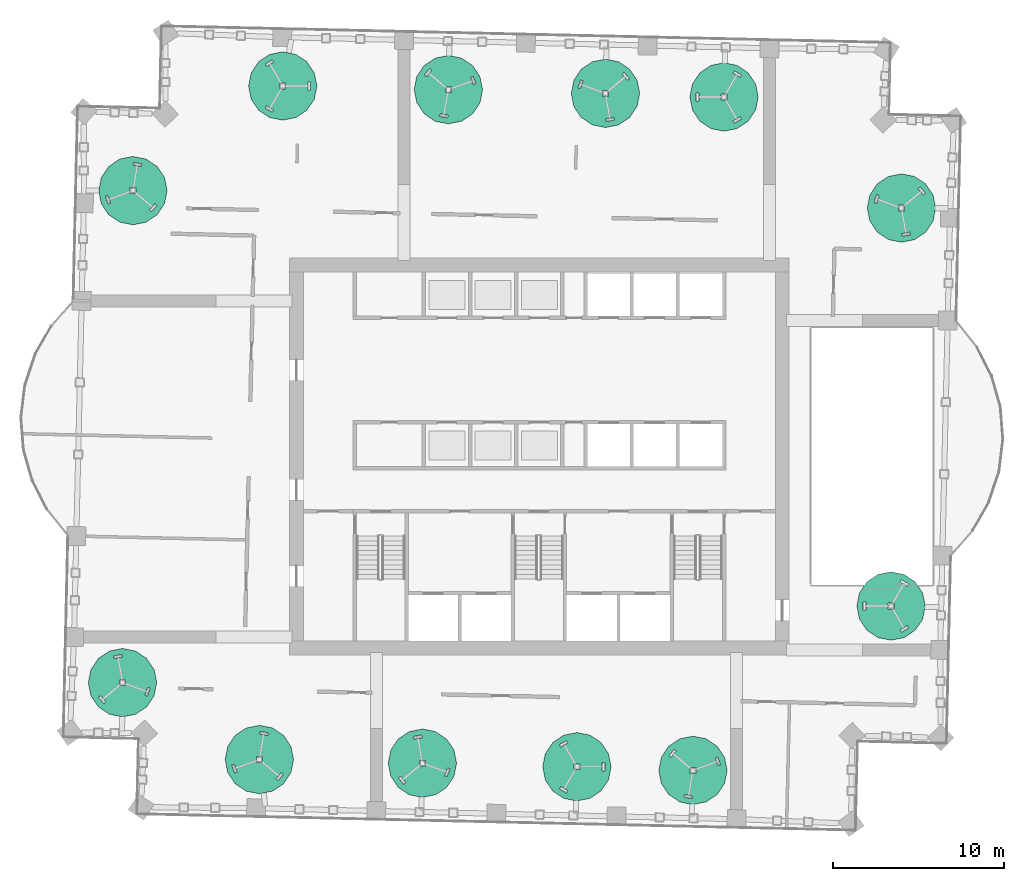
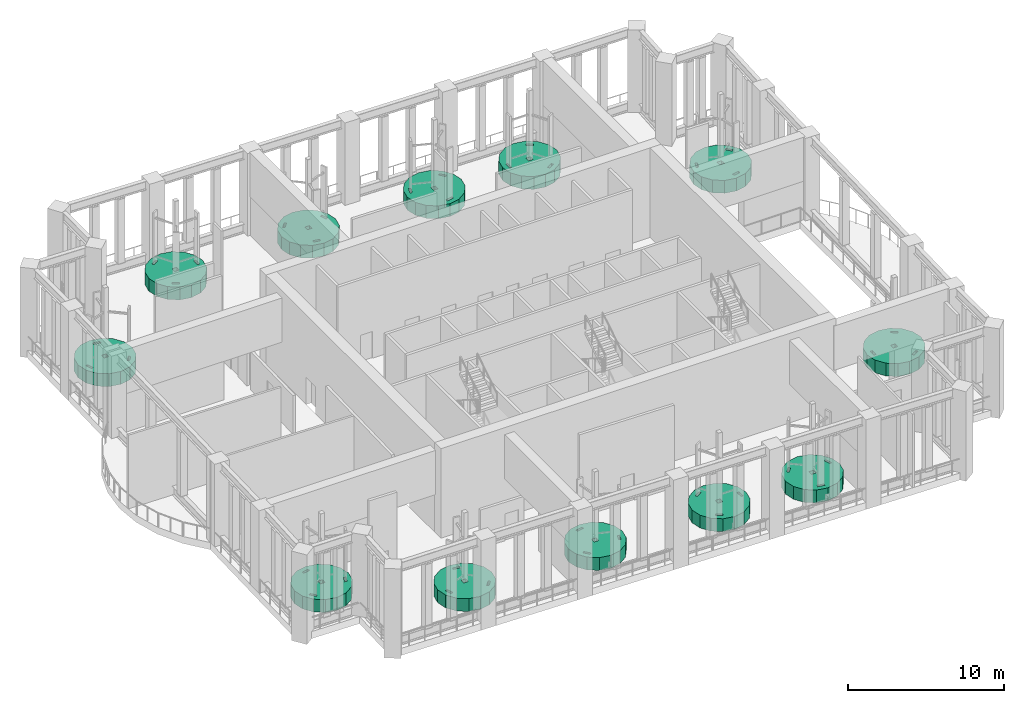
# One storey, part 32 of 33: 12 electric generators.
"""IFC4 building model written with IfcOpenShell, lengths in metres."""

from ifc_helpers import new_model, si_unit, direction, frame, origin, place, context, subcontext, project, spatial, polyline, outline, extrude, material, type_object, element, save


model = new_model("IFC4")

# Units and contexts
model_context = context("Model", 3, precision=1e-05, world=origin(), true_north=direction((0.0, 1.0)))
body_context = subcontext(model_context, "Body", "Model", "MODEL_VIEW")
ifc_project = project(units=[si_unit("LENGTHUNIT", "METRE"), si_unit("AREAUNIT", "SQUARE_METRE"), si_unit("VOLUMEUNIT", "CUBIC_METRE"), si_unit("PLANEANGLEUNIT", "RADIAN"), si_unit("MASSUNIT", "GRAM", prefix="KILO")], contexts=[model_context])

# Site, building, storey
site_placement = place(None, origin())
site = spatial("IfcSite", under=ifc_project, at=site_placement, CompositionType="ELEMENT")
building_placement = place(site_placement, origin())
building = spatial("IfcBuilding", under=site, at=building_placement, Name="Mangrove Gate Tower", CompositionType="ELEMENT")
storey_placement = place(building_placement, frame((0.0, 0.0, 219.5)))
storey = spatial("IfcBuildingStorey", under=building, at=storey_placement, Name="L56", CompositionType="ELEMENT", Elevation=219.5)

# Electric generators
ifc_material = material(Name="Aluminium blades on stainless steel shaft", Category="steel")
electric_generator_type = type_object("IfcElectricGeneratorType", Name="Wind turbine 4000", PredefinedType="USERDEFINED", material=ifc_material)
electric_generator_1_placement = place(storey_placement, origin())
element("IfcElectricGenerator", 1, at=electric_generator_1_placement, inside=storey, type_object=electric_generator_type, Name="TURBINE L56 1", ObjectType="WIND TURBINE", PredefinedType="USERDEFINED", context=body_context, shape_type="SweptSolid", body=[
    extrude(outline(polyline([(-13.0029296875, 21.658935546875), (-13.155029296875, 22.424072265625), (-13.589111328125, 23.072998046875), (-14.238037109375, 23.507080078125), (-15.0029296875, 23.658935546875), (-15.76806640625, 23.507080078125), (-16.4169921875, 23.072998046875), (-16.85107421875, 22.424072265625), (-17.0029296875, 21.658935546875), (-16.85107421875, 20.89404296875), (-16.4169921875, 20.2451171875), (-15.76806640625, 19.81103515625), (-15.0029296875, 19.658935546875), (-14.238037109375, 19.81103515625), (-13.589111328125, 20.2451171875), (-13.155029296875, 20.89404296875), (-13.0029296875, 21.658935546875)]), holes=[polyline([(-15.173095703125, 21.489013671875), (-14.8330078125, 21.489013671875), (-14.8330078125, 21.8291015625), (-15.173095703125, 21.8291015625), (-15.173095703125, 21.489013671875)]), polyline([(-13.532958984375, 21.4140625), (-13.532958984375, 21.904052734375), (-13.373046875, 21.904052734375), (-13.373046875, 21.4140625), (-13.532958984375, 21.4140625)]), polyline([(-15.52587890625, 23.054931640625), (-15.949951171875, 22.81005859375), (-16.030029296875, 22.947998046875), (-15.60595703125, 23.193115234375), (-15.52587890625, 23.054931640625)]), polyline([(-15.949951171875, 20.508056640625), (-15.52587890625, 20.262939453125), (-15.60595703125, 20.125), (-16.030029296875, 20.3701171875), (-15.949951171875, 20.508056640625)])]), origin(), (0.0, 0.0, 1.0), 1.0),
])
electric_generator_2_placement = place(storey_placement, origin())
element("IfcElectricGenerator", 2, at=electric_generator_2_placement, inside=storey, type_object=electric_generator_type, Name="TURBINE L56 2", ObjectType="WIND TURBINE", PredefinedType="USERDEFINED", context=body_context, shape_type="SweptSolid", body=[
    extrude(outline(polyline([(-3.320068359375, 21.445068359375), (-3.471923828125, 22.2099609375), (-3.906005859375, 22.85888671875), (-4.554931640625, 23.29296875), (-5.320068359375, 23.445068359375), (-6.0849609375, 23.29296875), (-6.73388671875, 22.85888671875), (-7.16796875, 22.2099609375), (-7.320068359375, 21.445068359375), (-7.16796875, 20.679931640625), (-6.73388671875, 20.031005859375), (-6.0849609375, 19.596923828125), (-5.320068359375, 19.445068359375), (-4.554931640625, 19.596923828125), (-3.906005859375, 20.031005859375), (-3.471923828125, 20.679931640625), (-3.320068359375, 21.445068359375)]), holes=[polyline([(-5.489990234375, 21.27490234375), (-5.14990234375, 21.27490234375), (-5.14990234375, 21.614990234375), (-5.489990234375, 21.614990234375), (-5.489990234375, 21.27490234375)]), polyline([(-3.85498046875, 21.718017578125), (-4.02197265625, 22.177978515625), (-3.8720703125, 22.23291015625), (-3.705078125, 21.77197265625), (-3.85498046875, 21.718017578125)]), polyline([(-6.2890625, 22.577880859375), (-6.60400390625, 22.201904296875), (-6.72607421875, 22.304931640625), (-6.410888671875, 22.679931640625), (-6.2890625, 22.577880859375)]), polyline([(-5.81689453125, 20.0400390625), (-5.333984375, 19.955078125), (-5.362060546875, 19.797119140625), (-5.843994140625, 19.882080078125), (-5.81689453125, 20.0400390625)])]), origin(), (0.0, 0.0, 1.0), 1.0),
])
electric_generator_3_placement = place(storey_placement, origin())
element("IfcElectricGenerator", 3, at=electric_generator_3_placement, inside=storey, type_object=electric_generator_type, Name="TURBINE L56 3", ObjectType="WIND TURBINE", PredefinedType="USERDEFINED", context=body_context, shape_type="SweptSolid", body=[
    extrude(outline(polyline([(5.864013671875, 21.23095703125), (5.7119140625, 21.99609375), (5.278076171875, 22.64501953125), (4.62890625, 23.0791015625), (3.864013671875, 23.23095703125), (3.09912109375, 23.0791015625), (2.449951171875, 22.64501953125), (2.01611328125, 21.99609375), (1.864013671875, 21.23095703125), (2.01611328125, 20.466064453125), (2.449951171875, 19.81689453125), (3.09912109375, 19.383056640625), (3.864013671875, 19.23095703125), (4.62890625, 19.383056640625), (5.278076171875, 19.81689453125), (5.7119140625, 20.466064453125), (5.864013671875, 21.23095703125)]), holes=[polyline([(3.694091796875, 21.06103515625), (4.033935546875, 21.06103515625), (4.033935546875, 21.40087890625), (3.694091796875, 21.40087890625), (3.694091796875, 21.06103515625)]), polyline([(5.14794921875, 21.988037109375), (4.8330078125, 22.364013671875), (4.955078125, 22.466064453125), (5.27001953125, 22.091064453125), (5.14794921875, 21.988037109375)]), polyline([(2.56591796875, 21.964111328125), (2.39892578125, 21.50390625), (2.2490234375, 21.55810546875), (2.416015625, 22.01904296875), (2.56591796875, 21.964111328125)]), polyline([(3.8779296875, 19.740966796875), (4.361083984375, 19.825927734375), (4.387939453125, 19.66796875), (3.906005859375, 19.5830078125), (3.8779296875, 19.740966796875)])]), origin(), (0.0, 0.0, 1.0), 1.0),
])
electric_generator_4_placement = place(storey_placement, origin())
element("IfcElectricGenerator", 4, at=electric_generator_4_placement, inside=storey, type_object=electric_generator_type, Name="TURBINE L56 4", ObjectType="WIND TURBINE", PredefinedType="USERDEFINED", context=body_context, shape_type="SweptSolid", body=[
    extrude(outline(polyline([(12.797119140625, 21.01708984375), (12.64501953125, 21.781982421875), (12.2109375, 22.430908203125), (11.56201171875, 22.864990234375), (10.797119140625, 23.01708984375), (10.031982421875, 22.864990234375), (9.383056640625, 22.430908203125), (8.948974609375, 21.781982421875), (8.797119140625, 21.01708984375), (8.948974609375, 20.251953125), (9.383056640625, 19.60302734375), (10.031982421875, 19.1689453125), (10.797119140625, 19.01708984375), (11.56201171875, 19.1689453125), (12.2109375, 19.60302734375), (12.64501953125, 20.251953125), (12.797119140625, 21.01708984375)]), holes=[polyline([(10.626953125, 20.846923828125), (10.967041015625, 20.846923828125), (10.967041015625, 21.18701171875), (10.626953125, 21.18701171875), (10.626953125, 20.846923828125)]), polyline([(11.743896484375, 22.16796875), (11.320068359375, 22.4130859375), (11.39990234375, 22.551025390625), (11.823974609375, 22.305908203125), (11.743896484375, 22.16796875)]), polyline([(9.326904296875, 21.261962890625), (9.326904296875, 20.77197265625), (9.1669921875, 20.77197265625), (9.1669921875, 21.261962890625), (9.326904296875, 21.261962890625)]), polyline([(11.320068359375, 19.62109375), (11.743896484375, 19.865966796875), (11.823974609375, 19.72802734375), (11.39990234375, 19.48291015625), (11.320068359375, 19.62109375)])]), origin(), (0.0, 0.0, 1.0), 1.0),
])
electric_generator_5_placement = place(storey_placement, origin())
element("IfcElectricGenerator", 5, at=electric_generator_5_placement, inside=storey, type_object=electric_generator_type, Name="TURBINE L56 5", ObjectType="WIND TURBINE", PredefinedType="USERDEFINED", context=body_context, shape_type="SweptSolid", body=[
    extrude(outline(polyline([(-14.3720703125, -17.719970703125), (-14.52392578125, -16.955078125), (-14.9580078125, -16.305908203125), (-15.60693359375, -15.8720703125), (-16.3720703125, -15.719970703125), (-17.136962890625, -15.8720703125), (-17.785888671875, -16.305908203125), (-18.219970703125, -16.955078125), (-18.3720703125, -17.719970703125), (-18.219970703125, -18.485107421875), (-17.785888671875, -19.134033203125), (-17.136962890625, -19.568115234375), (-16.3720703125, -19.719970703125), (-15.60693359375, -19.568115234375), (-14.9580078125, -19.134033203125), (-14.52392578125, -18.485107421875), (-14.3720703125, -17.719970703125)]), holes=[polyline([(-16.5419921875, -17.889892578125), (-16.201904296875, -17.889892578125), (-16.201904296875, -17.550048828125), (-16.5419921875, -17.550048828125), (-16.5419921875, -17.889892578125)]), polyline([(-15.875, -16.31494140625), (-16.35791015625, -16.22998046875), (-16.330078125, -16.072021484375), (-15.847900390625, -16.156982421875), (-15.875, -16.31494140625)]), polyline([(-17.8369140625, -17.992919921875), (-17.669921875, -18.452880859375), (-17.820068359375, -18.508056640625), (-17.987060546875, -18.047119140625), (-17.8369140625, -17.992919921875)]), polyline([(-15.403076171875, -18.85302734375), (-15.087890625, -18.47705078125), (-14.966064453125, -18.580078125), (-15.281005859375, -18.955078125), (-15.403076171875, -18.85302734375)])]), origin(), (0.0, 0.0, 1.0), 1.0),
])
electric_generator_6_placement = place(storey_placement, origin())
element("IfcElectricGenerator", 6, at=electric_generator_6_placement, inside=storey, type_object=electric_generator_type, Name="TURBINE L56 6", ObjectType="WIND TURBINE", PredefinedType="USERDEFINED", context=body_context, shape_type="SweptSolid", body=[
    extrude(outline(polyline([(-4.839111328125, -17.930908203125), (-4.990966796875, -17.166015625), (-5.425048828125, -16.51708984375), (-6.073974609375, -16.0830078125), (-6.839111328125, -15.930908203125), (-7.60400390625, -16.0830078125), (-8.2529296875, -16.51708984375), (-8.68701171875, -17.166015625), (-8.839111328125, -17.930908203125), (-8.68701171875, -18.696044921875), (-8.2529296875, -19.344970703125), (-7.60400390625, -19.779052734375), (-6.839111328125, -19.930908203125), (-6.073974609375, -19.779052734375), (-5.425048828125, -19.344970703125), (-4.990966796875, -18.696044921875), (-4.839111328125, -17.930908203125)]), holes=[polyline([(-7.009033203125, -18.10107421875), (-6.6689453125, -18.10107421875), (-6.6689453125, -17.760986328125), (-7.009033203125, -17.760986328125), (-7.009033203125, -18.10107421875)]), polyline([(-6.85302734375, -16.44091796875), (-7.3359375, -16.52587890625), (-7.363037109375, -16.367919921875), (-6.881103515625, -16.282958984375), (-6.85302734375, -16.44091796875)]), polyline([(-8.123046875, -18.68798828125), (-7.80810546875, -19.06396484375), (-7.929931640625, -19.166015625), (-8.2451171875, -18.791015625), (-8.123046875, -18.68798828125)]), polyline([(-5.541015625, -18.6640625), (-5.3740234375, -18.2041015625), (-5.22412109375, -18.258056640625), (-5.39111328125, -18.718994140625), (-5.541015625, -18.6640625)])]), origin(), (0.0, 0.0, 1.0), 1.0),
])
electric_generator_7_placement = place(storey_placement, origin())
element("IfcElectricGenerator", 7, at=electric_generator_7_placement, inside=storey, type_object=electric_generator_type, Name="TURBINE L56 7", ObjectType="WIND TURBINE", PredefinedType="USERDEFINED", context=body_context, shape_type="SweptSolid", body=[
    extrude(outline(polyline([(4.195068359375, -18.14111328125), (4.04296875, -17.3759765625), (3.60888671875, -16.72705078125), (2.9599609375, -16.29296875), (2.195068359375, -16.14111328125), (1.429931640625, -16.29296875), (0.781005859375, -16.72705078125), (0.346923828125, -17.3759765625), (0.195068359375, -18.14111328125), (0.346923828125, -18.906005859375), (0.781005859375, -19.554931640625), (1.429931640625, -19.989013671875), (2.195068359375, -20.14111328125), (2.9599609375, -19.989013671875), (3.60888671875, -19.554931640625), (4.04296875, -18.906005859375), (4.195068359375, -18.14111328125)]), holes=[polyline([(2.02490234375, -18.31103515625), (2.364990234375, -18.31103515625), (2.364990234375, -17.970947265625), (2.02490234375, -17.970947265625), (2.02490234375, -18.31103515625)]), polyline([(3.6650390625, -18.385986328125), (3.6650390625, -17.89599609375), (3.824951171875, -17.89599609375), (3.824951171875, -18.385986328125), (3.6650390625, -18.385986328125)]), polyline([(1.672119140625, -16.7451171875), (1.248046875, -16.989990234375), (1.16796875, -16.85205078125), (1.592041015625, -16.60693359375), (1.672119140625, -16.7451171875)]), polyline([(1.248046875, -19.2919921875), (1.672119140625, -19.537109375), (1.592041015625, -19.675048828125), (1.16796875, -19.429931640625), (1.248046875, -19.2919921875)])]), origin(), (0.0, 0.0, 1.0), 1.0),
])
electric_generator_8_placement = place(storey_placement, origin())
element("IfcElectricGenerator", 8, at=electric_generator_8_placement, inside=storey, type_object=electric_generator_type, Name="TURBINE L56 8", ObjectType="WIND TURBINE", PredefinedType="USERDEFINED", context=body_context, shape_type="SweptSolid", body=[
    extrude(outline(polyline([(10.97900390625, -18.35205078125), (10.826904296875, -17.5869140625), (10.39306640625, -16.93798828125), (9.743896484375, -16.50390625), (8.97900390625, -16.35205078125), (8.214111328125, -16.50390625), (7.56494140625, -16.93798828125), (7.131103515625, -17.5869140625), (6.97900390625, -18.35205078125), (7.131103515625, -19.116943359375), (7.56494140625, -19.76611328125), (8.214111328125, -20.199951171875), (8.97900390625, -20.35205078125), (9.743896484375, -20.199951171875), (10.39306640625, -19.76611328125), (10.826904296875, -19.116943359375), (10.97900390625, -18.35205078125)]), holes=[polyline([(8.80908203125, -18.52197265625), (9.14892578125, -18.52197265625), (9.14892578125, -18.181884765625), (8.80908203125, -18.181884765625), (8.80908203125, -18.52197265625)]), polyline([(10.444091796875, -18.0791015625), (10.277099609375, -17.618896484375), (10.427001953125, -17.56396484375), (10.593994140625, -18.02490234375), (10.444091796875, -18.0791015625)]), polyline([(8.010009765625, -17.218994140625), (7.695068359375, -17.594970703125), (7.572998046875, -17.491943359375), (7.887939453125, -17.116943359375), (8.010009765625, -17.218994140625)]), polyline([(8.48193359375, -19.757080078125), (8.965087890625, -19.842041015625), (8.93701171875, -20.0), (8.455078125, -19.9150390625), (8.48193359375, -19.757080078125)])]), origin(), (0.0, 0.0, 1.0), 1.0),
])
electric_generator_9_placement = place(storey_placement, origin())
element("IfcElectricGenerator", 9, at=electric_generator_9_placement, inside=storey, type_object=electric_generator_type, Name="TURBINE L56 9", ObjectType="WIND TURBINE", PredefinedType="USERDEFINED", context=body_context, shape_type="SweptSolid", body=[
    extrude(outline(polyline([(23.169921875, 14.52392578125), (23.01806640625, 15.2890625), (22.583984375, 15.93798828125), (21.93505859375, 16.3720703125), (21.169921875, 16.52392578125), (20.405029296875, 16.3720703125), (19.756103515625, 15.93798828125), (19.322021484375, 15.2890625), (19.169921875, 14.52392578125), (19.322021484375, 13.759033203125), (19.756103515625, 13.110107421875), (20.405029296875, 12.676025390625), (21.169921875, 12.52392578125), (21.93505859375, 12.676025390625), (22.583984375, 13.110107421875), (23.01806640625, 13.759033203125), (23.169921875, 14.52392578125)]), holes=[polyline([(21.0, 14.35400390625), (21.340087890625, 14.35400390625), (21.340087890625, 14.694091796875), (21.0, 14.694091796875), (21.0, 14.35400390625)]), polyline([(22.4541015625, 15.281005859375), (22.138916015625, 15.656982421875), (22.260986328125, 15.759033203125), (22.575927734375, 15.384033203125), (22.4541015625, 15.281005859375)]), polyline([(19.8720703125, 15.257080078125), (19.705078125, 14.797119140625), (19.554931640625, 14.85107421875), (19.721923828125, 15.31201171875), (19.8720703125, 15.257080078125)]), polyline([(21.18408203125, 13.033935546875), (21.6669921875, 13.118896484375), (21.694091796875, 12.9609375), (21.2119140625, 12.8759765625), (21.18408203125, 13.033935546875)])]), origin(), (0.0, 0.0, 1.0), 1.0),
])
electric_generator_10_placement = place(storey_placement, origin())
element("IfcElectricGenerator", 10, at=electric_generator_10_placement, inside=storey, type_object=electric_generator_type, Name="TURBINE L56 10", ObjectType="WIND TURBINE", PredefinedType="USERDEFINED", context=body_context, shape_type="SweptSolid", body=[
    extrude(outline(polyline([(22.56201171875, -8.743896484375), (22.409912109375, -7.97900390625), (21.97607421875, -7.330078125), (21.326904296875, -6.89599609375), (20.56201171875, -6.743896484375), (19.797119140625, -6.89599609375), (19.14794921875, -7.330078125), (18.714111328125, -7.97900390625), (18.56201171875, -8.743896484375), (18.714111328125, -9.509033203125), (19.14794921875, -10.157958984375), (19.797119140625, -10.592041015625), (20.56201171875, -10.743896484375), (21.326904296875, -10.592041015625), (21.97607421875, -10.157958984375), (22.409912109375, -9.509033203125), (22.56201171875, -8.743896484375)]), holes=[polyline([(20.39208984375, -8.9140625), (20.73193359375, -8.9140625), (20.73193359375, -8.573974609375), (20.39208984375, -8.573974609375), (20.39208984375, -8.9140625)]), polyline([(21.509033203125, -7.593017578125), (21.0849609375, -7.347900390625), (21.1650390625, -7.2099609375), (21.589111328125, -7.455078125), (21.509033203125, -7.593017578125)]), polyline([(19.092041015625, -8.4990234375), (19.092041015625, -8.989013671875), (18.931884765625, -8.989013671875), (18.931884765625, -8.4990234375), (19.092041015625, -8.4990234375)]), polyline([(21.0849609375, -10.139892578125), (21.509033203125, -9.89501953125), (21.589111328125, -10.032958984375), (21.1650390625, -10.278076171875), (21.0849609375, -10.139892578125)])]), origin(), (0.0, 0.0, 1.0), 1.0),
])
electric_generator_11_placement = place(storey_placement, origin())
element("IfcElectricGenerator", 11, at=electric_generator_11_placement, inside=storey, type_object=electric_generator_type, Name="TURBINE L56 11", ObjectType="WIND TURBINE", PredefinedType="USERDEFINED", context=body_context, shape_type="SweptSolid", body=[
    extrude(outline(polyline([(-21.761962890625, 15.5439453125), (-21.9140625, 16.30908203125), (-22.347900390625, 16.9580078125), (-22.9970703125, 17.39208984375), (-23.761962890625, 17.5439453125), (-24.527099609375, 17.39208984375), (-25.176025390625, 16.9580078125), (-25.610107421875, 16.30908203125), (-25.761962890625, 15.5439453125), (-25.610107421875, 14.779052734375), (-25.176025390625, 14.1298828125), (-24.527099609375, 13.696044921875), (-23.761962890625, 13.5439453125), (-22.9970703125, 13.696044921875), (-22.347900390625, 14.1298828125), (-21.9140625, 14.779052734375), (-21.761962890625, 15.5439453125)]), holes=[polyline([(-23.931884765625, 15.3740234375), (-23.592041015625, 15.3740234375), (-23.592041015625, 15.714111328125), (-23.931884765625, 15.714111328125), (-23.931884765625, 15.3740234375)]), polyline([(-23.264892578125, 16.948974609375), (-23.748046875, 17.033935546875), (-23.719970703125, 17.19189453125), (-23.238037109375, 17.10693359375), (-23.264892578125, 16.948974609375)]), polyline([(-25.22705078125, 15.27099609375), (-25.06005859375, 14.81103515625), (-25.2099609375, 14.756103515625), (-25.376953125, 15.217041015625), (-25.22705078125, 15.27099609375)]), polyline([(-22.79296875, 14.410888671875), (-22.47802734375, 14.787109375), (-22.35595703125, 14.68408203125), (-22.6708984375, 14.30908203125), (-22.79296875, 14.410888671875)])]), origin(), (0.0, 0.0, 1.0), 1.0),
])
electric_generator_12_placement = place(storey_placement, origin())
element("IfcElectricGenerator", 12, at=electric_generator_12_placement, inside=storey, type_object=electric_generator_type, Name="TURBINE L56 12", ObjectType="WIND TURBINE", PredefinedType="USERDEFINED", context=body_context, shape_type="SweptSolid", body=[
    extrude(outline(polyline([(-22.3701171875, -13.22412109375), (-22.52197265625, -12.458984375), (-22.9560546875, -11.81005859375), (-23.60498046875, -11.3759765625), (-24.3701171875, -11.22412109375), (-25.135009765625, -11.3759765625), (-25.783935546875, -11.81005859375), (-26.218017578125, -12.458984375), (-26.3701171875, -13.22412109375), (-26.218017578125, -13.989013671875), (-25.783935546875, -14.637939453125), (-25.135009765625, -15.072021484375), (-24.3701171875, -15.22412109375), (-23.60498046875, -15.072021484375), (-22.9560546875, -14.637939453125), (-22.52197265625, -13.989013671875), (-22.3701171875, -13.22412109375)]), holes=[polyline([(-24.5400390625, -13.39404296875), (-24.199951171875, -13.39404296875), (-24.199951171875, -13.053955078125), (-24.5400390625, -13.053955078125), (-24.5400390625, -13.39404296875)]), polyline([(-24.384033203125, -11.73388671875), (-24.866943359375, -11.819091796875), (-24.89404296875, -11.660888671875), (-24.412109375, -11.575927734375), (-24.384033203125, -11.73388671875)]), polyline([(-25.654052734375, -13.98095703125), (-25.339111328125, -14.35693359375), (-25.4609375, -14.458984375), (-25.77587890625, -14.083984375), (-25.654052734375, -13.98095703125)]), polyline([(-23.072021484375, -13.95703125), (-22.905029296875, -13.4970703125), (-22.7548828125, -13.551025390625), (-22.922119140625, -14.011962890625), (-23.072021484375, -13.95703125)])]), origin(), (0.0, 0.0, 1.0), 1.0),
])

save(model, "model.ifc")
